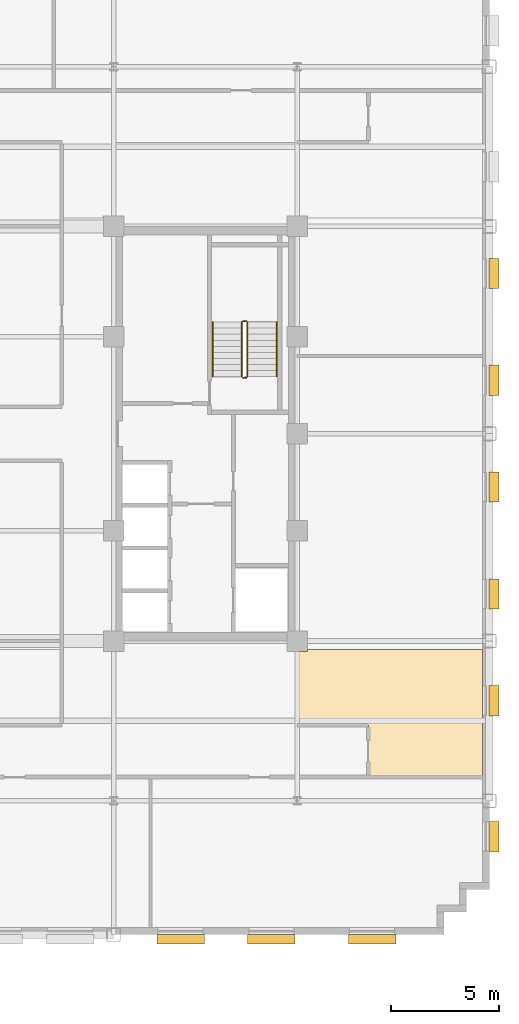
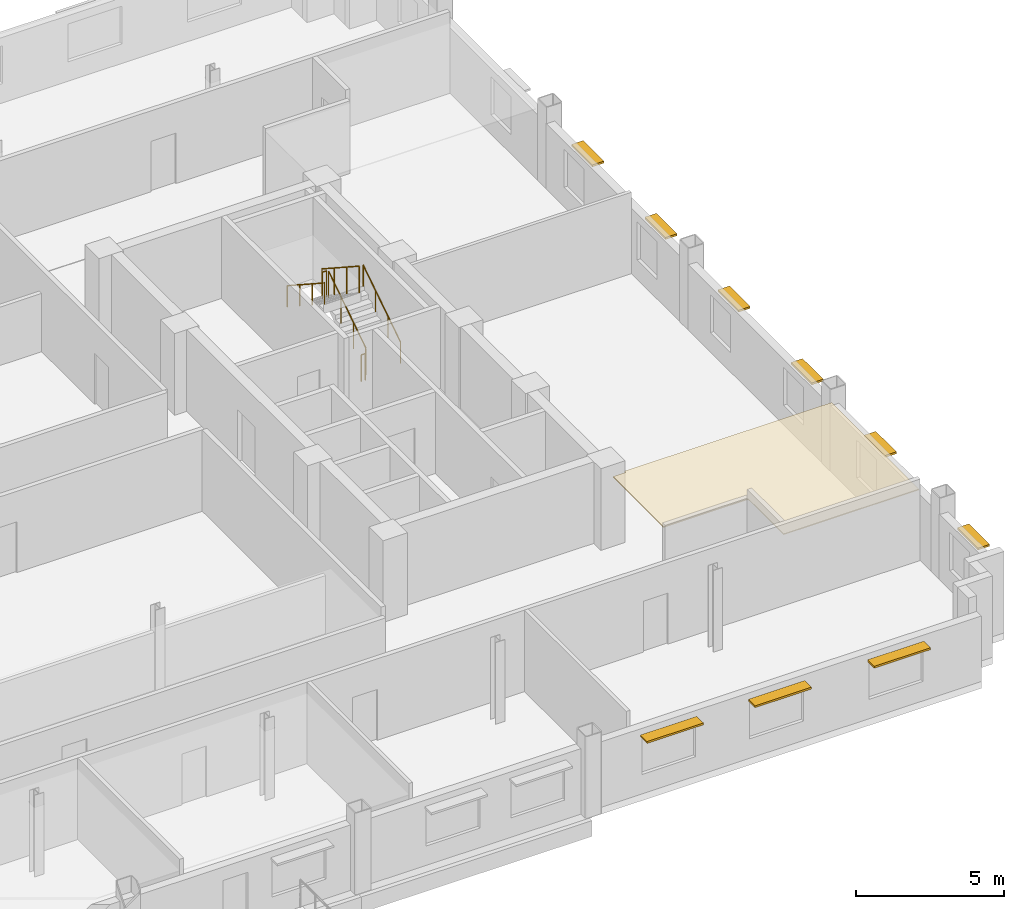
# One storey, part 13 of 14: 9 shading devices, 6 railings, 1 covering.
"""IFC4 building model written with IfcOpenShell, lengths in metres."""

from ifc_helpers import new_model, si_unit, direction, frame, origin, origin_2d, place, context, subcontext, project, spatial, polyline, rectangle, circle, outline, extrude, source, transform, mapped, material, layer, layer_set, type_object, type_shapes, element, save


model = new_model("IFC4")

# Units and contexts
model_context = context("Model", 3, precision=1e-05, world=origin(), true_north=direction((0.0, 1.0)))
body_context = subcontext(model_context, "Body", "Model", "MODEL_VIEW")
ifc_project = project(units=[si_unit("LENGTHUNIT", "METRE"), si_unit("AREAUNIT", "SQUARE_METRE"), si_unit("VOLUMEUNIT", "CUBIC_METRE"), si_unit("PLANEANGLEUNIT", "RADIAN"), si_unit("MASSUNIT", "GRAM", prefix="KILO")], contexts=[model_context])

# Site, building, storey
site_placement = place(None, origin())
site = spatial("IfcSite", under=ifc_project, at=site_placement, CompositionType="ELEMENT")
building_placement = place(site_placement, origin())
building = spatial("IfcBuilding", under=site, at=building_placement, Name="Nuvemarco Arch Tower", CompositionType="ELEMENT")
storey_placement = place(building_placement, frame((0.0, 0.0, 160.35009765625)))
storey = spatial("IfcBuildingStorey", under=building, at=storey_placement, Name="L42", CompositionType="ELEMENT", Elevation=160.35009765625)

# Covering
ifc_material_1 = material(Name="Mineral acoustic ceiling tile")
ifc_layer = layer(ifc_material_1, 0.0400390625, Name="COV-ACOUSTIC-CLG")
ifc_layer_set = layer_set([ifc_layer], Name="Mineral acoustic ceiling tile")
covering_type = type_object("IfcCoveringType", Name="COV-ACOUSTIC-CLG", PredefinedType="CEILING", material=ifc_layer_set)
covering_placement = place(storey_placement, frame((0.0, 0.0, 2.849853515625)))
element("IfcCovering", 1, at=covering_placement, inside=storey, type_object=covering_type, Name="L42 suspended acoustic ceiling 1", PredefinedType="CEILING", context=body_context, shape_type="SweptSolid", body=[
    extrude(outline(polyline([(17.5, -10.090087890625), (17.989990234375, -10.090087890625), (17.989990234375, -10.0), (26.080078125, -10.0), (26.080078125, -15.89990234375), (20.800048828125, -15.89990234375), (20.800048828125, -13.5), (17.5, -13.5), (17.5, -10.090087890625)])), origin(), (0.0, 0.0, 1.0), 0.0400390625),
])

# Railings
ifc_material_2 = material(Name="Brushed stainless steel handrail", Category="steel")
railing_type_1 = type_object("IfcRailingType", Name="RL-HANDRAIL-900", PredefinedType="HANDRAIL", material=ifc_material_2)
railing_1_placement = place(storey_placement, frame((16.550048828125, 2.64990234375, 0.182373046875)))
element("IfcRailing", 2, at=railing_1_placement, inside=storey, type_object=railing_type_1, Name="L42 ST-2 stair handrail 1", PredefinedType="HANDRAIL", context=body_context, shape_type="SweptSolid", body=[
    extrude(circle(Radius=0.02392578125, at=origin_2d()), frame((0.0, 0.0, 0.8759765625), z_axis=(0.0, 0.837749427056, 0.546054848405), x_axis=(-1.0, 0.0, 0.0)), (0.0, 0.0, 1.0), 3.008056640625),
    extrude(circle(Radius=0.02099609375, at=origin_2d()), origin(), (0.0, 0.0, 1.0), 0.851806640625),
    extrude(circle(Radius=0.02099609375, at=origin_2d()), frame((0.0, 0.840087890625, 0.547607421875)), (0.0, 0.0, 1.0), 0.851806640625),
    extrude(circle(Radius=0.02099609375, at=origin_2d()), frame((0.0, 1.679931640625, 1.094970703125)), (0.0, 0.0, 1.0), 0.851806640625),
    extrude(circle(Radius=0.02099609375, at=origin_2d()), frame((0.0, 2.52001953125, 1.642578125)), (0.0, 0.0, 1.0), 0.851806640625),
])
railing_2_placement = place(storey_placement, frame((13.590087890625, 5.169921875, 2.00732421875)))
element("IfcRailing", 3, at=railing_2_placement, inside=storey, type_object=railing_type_1, Name="L42 ST-2 stair handrail 2", PredefinedType="HANDRAIL", context=body_context, shape_type="SweptSolid", body=[
    extrude(circle(Radius=0.02392578125, at=origin_2d()), frame((0.0, 0.0, 0.8759765625), z_axis=(0.0, -0.837749427056, 0.546054848405), x_axis=(1.0, 0.0, 0.0)), (0.0, 0.0, 1.0), 3.008056640625),
    extrude(circle(Radius=0.02099609375, at=origin_2d()), origin(), (0.0, 0.0, 1.0), 0.851806640625),
    extrude(circle(Radius=0.02099609375, at=origin_2d()), frame((0.0, -0.840087890625, 0.547607421875)), (0.0, 0.0, 1.0), 0.851806640625),
    extrude(circle(Radius=0.02099609375, at=origin_2d()), frame((0.0, -1.679931640625, 1.094970703125)), (0.0, 0.0, 1.0), 0.851806640625),
    extrude(circle(Radius=0.02099609375, at=origin_2d()), frame((0.0, -2.52001953125, 1.642578125)), (0.0, 0.0, 1.0), 0.851806640625),
])
ifc_material_3 = material(Name="Painted balustrade steel S355", Category="steel")
railing_type_2 = type_object("IfcRailingType", Name="RL-STAIR-GUARD", PredefinedType="GUARDRAIL", material=ifc_material_3)
railing_3_placement = place(storey_placement, frame((15.199951171875, 2.64990234375, 0.182373046875)))
element("IfcRailing", 4, at=railing_3_placement, inside=storey, type_object=railing_type_2, Name="L42 ST-2 stair guard 1", PredefinedType="GUARDRAIL", context=body_context, shape_type="SweptSolid", body=[
    extrude(circle(Radius=0.02392578125, at=origin_2d()), frame((0.0, 0.0, 1.09619140625), z_axis=(0.0, 0.837749427056, 0.546054848405), x_axis=(-1.0, 0.0, 0.0)), (0.0, 0.0, 1.0), 3.008056640625),
    extrude(circle(Radius=0.02099609375, at=origin_2d()), origin(), (0.0, 0.0, 1.0), 1.072021484375),
    extrude(circle(Radius=0.02099609375, at=origin_2d()), frame((0.0, 0.840087890625, 0.547607421875)), (0.0, 0.0, 1.0), 1.072021484375),
    extrude(circle(Radius=0.02099609375, at=origin_2d()), frame((0.0, 1.679931640625, 1.094970703125)), (0.0, 0.0, 1.0), 1.072021484375),
    extrude(circle(Radius=0.02099609375, at=origin_2d()), frame((0.0, 2.52001953125, 1.642578125)), (0.0, 0.0, 1.0), 1.072021484375),
])
railing_4_placement = place(storey_placement, frame((15.14990234375, 5.219970703125, 1.824951171875)))
element("IfcRailing", 5, at=railing_4_placement, inside=storey, type_object=railing_type_2, Name="L42 ST-2 stair guard 2", PredefinedType="GUARDRAIL", context=body_context, shape_type="SweptSolid", body=[
    extrude(circle(Radius=0.02392578125, at=origin_2d()), frame((0.0, 0.0, 1.09619140625), z_axis=(-1.0, 0.0, 0.0), x_axis=(0.0, -1.0, 0.0)), (0.0, 0.0, 1.0), 0.159912109375),
    extrude(circle(Radius=0.02099609375, at=origin_2d()), origin(), (0.0, 0.0, 1.0), 1.072021484375),
    extrude(circle(Radius=0.02099609375, at=origin_2d()), frame((-0.159912109375, 0.0, 0.0)), (0.0, 0.0, 1.0), 1.072021484375),
])
railing_5_placement = place(storey_placement, frame((14.93994140625, 5.169921875, 2.00732421875)))
element("IfcRailing", 6, at=railing_5_placement, inside=storey, type_object=railing_type_2, Name="L42 ST-2 stair guard 3", PredefinedType="GUARDRAIL", context=body_context, shape_type="SweptSolid", body=[
    extrude(circle(Radius=0.02392578125, at=origin_2d()), frame((0.0, 0.0, 1.09619140625), z_axis=(0.0, -0.837749427056, 0.546054848405), x_axis=(1.0, 0.0, 0.0)), (0.0, 0.0, 1.0), 3.008056640625),
    extrude(circle(Radius=0.02099609375, at=origin_2d()), origin(), (0.0, 0.0, 1.0), 1.072021484375),
    extrude(circle(Radius=0.02099609375, at=origin_2d()), frame((0.0, -0.840087890625, 0.547607421875)), (0.0, 0.0, 1.0), 1.072021484375),
    extrude(circle(Radius=0.02099609375, at=origin_2d()), frame((0.0, -1.679931640625, 1.094970703125)), (0.0, 0.0, 1.0), 1.072021484375),
    extrude(circle(Radius=0.02099609375, at=origin_2d()), frame((0.0, -2.52001953125, 1.642578125)), (0.0, 0.0, 1.0), 1.072021484375),
])
railing_6_placement = place(storey_placement, frame((15.14990234375, 2.60009765625, 0.0)))
element("IfcRailing", 7, at=railing_6_placement, inside=storey, type_object=railing_type_2, Name="L42 ST-2 stair guard 4", PredefinedType="GUARDRAIL", context=body_context, shape_type="SweptSolid", body=[
    extrude(circle(Radius=0.02392578125, at=origin_2d()), frame((0.0, 0.0, 1.09619140625), z_axis=(-1.0, 0.0, 0.0), x_axis=(0.0, -1.0, 0.0)), (0.0, 0.0, 1.0), 0.159912109375),
    extrude(circle(Radius=0.02099609375, at=origin_2d()), origin(), (0.0, 0.0, 1.0), 1.072021484375),
    extrude(circle(Radius=0.02099609375, at=origin_2d()), frame((-0.159912109375, 0.0, 0.0)), (0.0, 0.0, 1.0), 1.072021484375),
])

# Shading devices
ifc_material_4 = material(Name="Anodised aluminium 6063-T6", Category="aluminium")
shading_device_type_1 = type_object("IfcShadingDeviceType", Name="SHD-BRISE-SOLEIL", PredefinedType="USERDEFINED", material=ifc_material_4)
shared_shape_1 = source(origin(), body_context, "Body", "SweptSolid", [
    extrude(rectangle(XDim=2.199951171875, YDim=0.449951171875, at=origin_2d()), origin(), (0.0, 0.0, 1.0), 0.080078125),
])
type_shapes(shading_device_type_1, [shared_shape_1])
for number, where, z_axis, x_axis, name in (
    (8, (12.10009765625, -23.4150390625, 2.36474609375), (0.0, 0.0, 1.0), (1.0, 0.0, 0.0), "L42 horizontal brise-soleil sunshade"),
    (9, (16.31005859375, -23.4150390625, 2.36474609375), (0.0, 0.0, 1.0), (1.0, 0.0, 0.0), "L42 horizontal brise-soleil sunshade"),
    (10, (20.969970703125, -23.4150390625, 2.36474609375), (0.0, 0.0, 1.0), (1.0, 0.0, 0.0), "L42 horizontal brise-soleil sunshade"),
):
    element("IfcShadingDevice", number, at=place(storey_placement, frame(where, z_axis=z_axis, x_axis=x_axis)), inside=storey, type_object=shading_device_type_1, Name=name, ObjectType="SUNSHADE", PredefinedType="USERDEFINED", context=body_context, shape_type="MappedRepresentation", body=[
        mapped(shared_shape_1, transform((0.0, 0.0, 0.0), scale=1.0)),
    ])
shading_device_type_2 = type_object("IfcShadingDeviceType", Name="SHD-BRISE-NARROW", PredefinedType="USERDEFINED", material=ifc_material_4)
shared_shape_2 = source(origin(), body_context, "Body", "SweptSolid", [
    extrude(rectangle(XDim=1.39990234375, YDim=0.449951171875, at=origin_2d()), origin(), (0.0, 0.0, 1.0), 0.080078125),
])
type_shapes(shading_device_type_2, [shared_shape_2])
for number, where, z_axis, x_axis, name in (
    (11, (26.614990234375, -18.660888671875, 2.36474609375), (0.0, 0.0, 1.0), (0.0, 1.0, 0.0), "L42 horizontal brise-soleil sunshade"),
    (12, (26.614990234375, -12.364990234375, 2.36474609375), (0.0, 0.0, 1.0), (0.0, 1.0, 0.0), "L42 horizontal brise-soleil sunshade"),
    (13, (26.614990234375, -7.4189453125, 2.36474609375), (0.0, 0.0, 1.0), (0.0, 1.0, 0.0), "L42 horizontal brise-soleil sunshade"),
    (14, (26.614990234375, -2.472900390625, 2.36474609375), (0.0, 0.0, 1.0), (0.0, 1.0, 0.0), "L42 horizontal brise-soleil sunshade"),
    (15, (26.614990234375, 2.472900390625, 2.36474609375), (0.0, 0.0, 1.0), (0.0, 1.0, 0.0), "L42 horizontal brise-soleil sunshade"),
    (16, (26.614990234375, 7.4189453125, 2.36474609375), (0.0, 0.0, 1.0), (0.0, 1.0, 0.0), "L42 horizontal brise-soleil sunshade"),
):
    element("IfcShadingDevice", number, at=place(storey_placement, frame(where, z_axis=z_axis, x_axis=x_axis)), inside=storey, type_object=shading_device_type_2, Name=name, ObjectType="SUNSHADE", PredefinedType="USERDEFINED", context=body_context, shape_type="MappedRepresentation", body=[
        mapped(shared_shape_2, transform((0.0, 0.0, 0.0), scale=1.0)),
    ])

save(model, "model.ifc")
